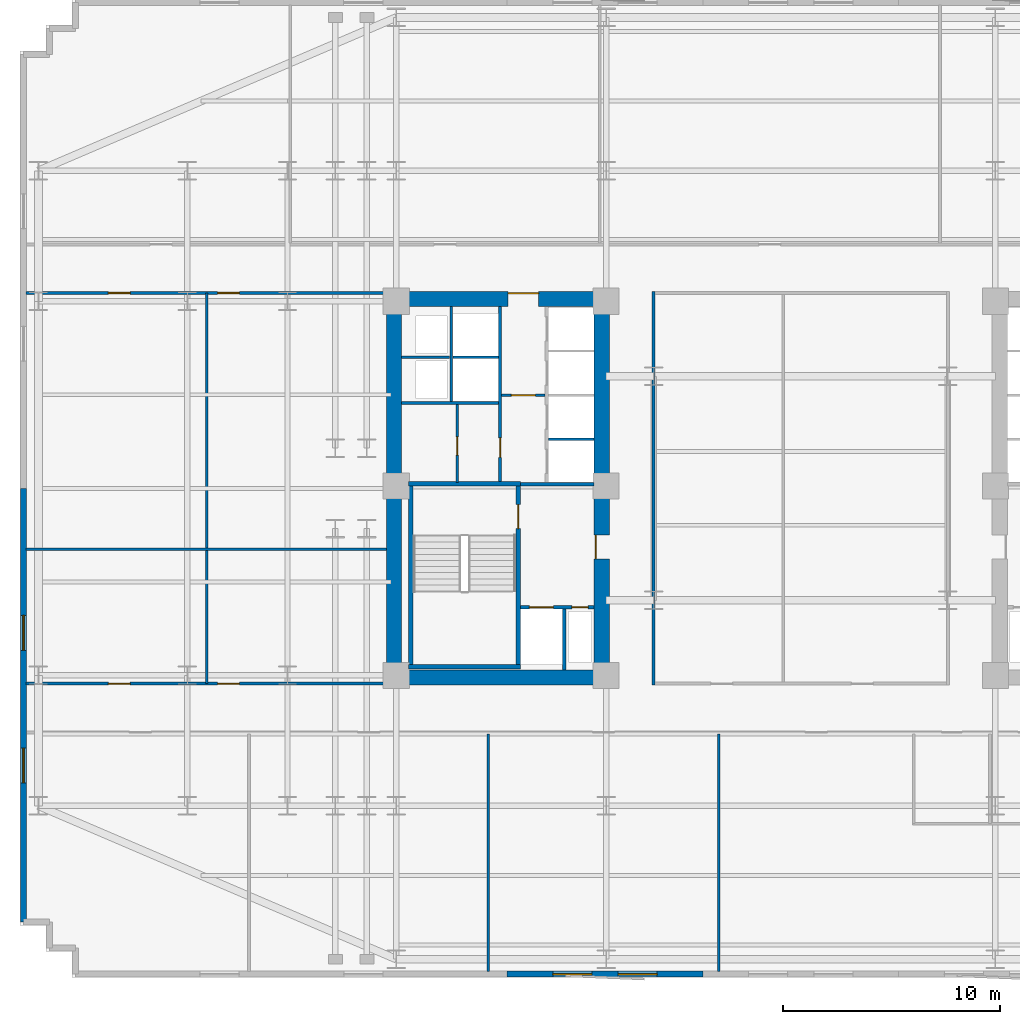
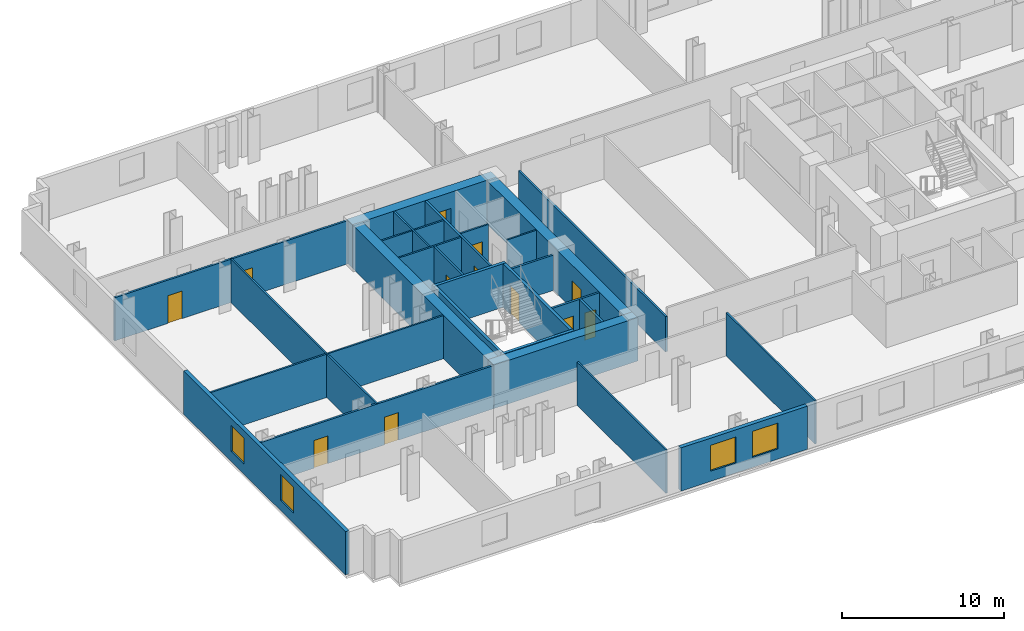
# One storey, part 4 of 10: 28 walls, 12 doors, 4 windows, 16 openings.
"""IFC4 building model written with IfcOpenShell, lengths in metres."""

from ifc_helpers import new_model, si_unit, direction, frame, frame_2d, origin, place, context, subcontext, project, spatial, rectangle, extrude, material, layer, layer_set, type_object, element, fill, save


model = new_model("IFC4")

# Units and contexts
model_context = context("Model", 3, precision=1e-05, world=origin(), true_north=direction((0.0, 1.0)))
body_context = subcontext(model_context, "Body", "Model", "MODEL_VIEW")
ifc_project = project(units=[si_unit("LENGTHUNIT", "METRE"), si_unit("AREAUNIT", "SQUARE_METRE"), si_unit("VOLUMEUNIT", "CUBIC_METRE"), si_unit("PLANEANGLEUNIT", "RADIAN"), si_unit("MASSUNIT", "GRAM", prefix="KILO")], contexts=[model_context])

# Site, building, storey
site_placement = place(None, origin())
site = spatial("IfcSite", under=ifc_project, at=site_placement, CompositionType="ELEMENT")
building_placement = place(site_placement, origin())
building = spatial("IfcBuilding", under=site, at=building_placement, Name="Velakula Bourse", CompositionType="ELEMENT")
storey_placement = place(building_placement, frame((0.0, 0.0, 48.449951171875)))
storey = spatial("IfcBuildingStorey", under=building, at=storey_placement, Name="L12", CompositionType="ELEMENT", Elevation=48.449951171875)

# Wall, opening, door
ifc_material_1 = material(Name="Concrete M50 (fck 50 MPa)", Category="concrete")
ifc_layer_1 = layer(ifc_material_1, 0.2099609375, Name="Concrete M50 (fck 50 MPa)", Category="concrete")
ifc_layer_set_1 = layer_set([ifc_layer_1], Name="Concrete M50 (fck 50 MPa)")
wall_type_1 = type_object("IfcWallType", Name="WL-CORE-210", PredefinedType="SHEAR", material=ifc_layer_set_1)
wall_1_placement = place(storey_placement, frame((-12.9951171875, -8.10009765625, 0.0), z_axis=(0.0, 0.0, 1.0), x_axis=(0.0, 1.0, 0.0)))
wall_1 = element("IfcWall", 1, at=wall_1_placement, inside=storey, type_object=wall_type_1, Name="L12 Core W Stairwell Shear Wall IN", PredefinedType="SHEAR", context=body_context, shape_type="SweptSolid", body=[
    extrude(rectangle(XDim=8.2001953125, YDim=0.2099609375, at=frame_2d((4.10009765625, 0.0))), origin(), (0.0, 0.0, 1.0), 3.27001953125),
])
opening_1_placement = place(wall_1_placement, frame((6.25, 0.0, 0.0)))
opening_1 = element("IfcOpeningElement", 2, at=opening_1_placement, cuts=wall_1, Name="Opening D-STW1", PredefinedType="OPENING", context=body_context, shape_type="SweptSolid", body=[
    extrude(rectangle(XDim=1.10009765625, YDim=2.14990234375, at=frame_2d((0.550048828125, 1.074951171875))), frame((0.0, 0.114990234375, 0.0), z_axis=(0.0, -1.0, 0.0), x_axis=(1.0, 0.0, 0.0)), (0.0, 0.0, 1.0), 0.22998046875),
])
ifc_material_2 = material(Name="Galvanised painted hollow steel fire door", Category="steel")
door_type_1 = type_object("IfcDoorType", Name="DR-FD120-1100x2150", OperationType="NOTDEFINED", PredefinedType="DOOR", material=ifc_material_2)
door_1_placement = place(opening_1_placement, origin())
door_1 = element("IfcDoor", 3, at=door_1_placement, inside=storey, type_object=door_type_1, Name="L12 Stair ST-W1 Fire Door", OperationType="SINGLE_SWING_LEFT", OverallHeight=2.14990234375, OverallWidth=1.10009765625, PredefinedType="DOOR", context=body_context, shape_type="SweptSolid", body=[
    extrude(rectangle(XDim=1.10009765625, YDim=2.14990234375, at=frame_2d((0.550048828125, 1.074951171875))), frame((0.0, 0.02490234375, 0.0), z_axis=(0.0, -1.0, 0.0), x_axis=(1.0, 0.0, 0.0)), (0.0, 0.0, 1.0), 0.050048828125),
])
fill(opening_1, door_1)

# Walls
wall_2_placement = place(storey_placement, frame((-17.925048828125, -8.10009765625, 0.0), z_axis=(0.0, 0.0, 1.0), x_axis=(0.0, 1.0, 0.0)))
element("IfcWall", 4, at=wall_2_placement, inside=storey, type_object=wall_type_1, Name="L12 Core W Stairwell Shear Wall OUT", PredefinedType="SHEAR", context=body_context, shape_type="SweptSolid", body=[
    extrude(rectangle(XDim=8.2001953125, YDim=0.2099609375, at=frame_2d((4.10009765625, 0.0))), origin(), (0.0, 0.0, 1.0), 3.27001953125),
])
for number, where, z_axis, x_axis, name in (
    (5, (-18.030029296875, -8.205078125, 0.0), (0.0, 0.0, 1.0), (1.0, 0.0, 0.0), "L12 Core W Stairwell Shear Wall S"),
    (6, (-12.889892578125, 0.205078125, 0.0), (0.0, 0.0, 1.0), (-1.0, 0.0, 0.0), "L12 Core W Stairwell Shear Wall N"),
):
    element("IfcWall", number, at=place(storey_placement, frame(where, z_axis=z_axis, x_axis=x_axis)), inside=storey, type_object=wall_type_1, Name=name, PredefinedType="SHEAR", context=body_context, shape_type="SweptSolid", body=[
        extrude(rectangle(XDim=5.14013671875, YDim=0.2099609375, at=frame_2d((2.570068359375, 0.0))), origin(), (0.0, 0.0, 1.0), 3.27001953125),
    ])
ifc_material_3 = material(Name="Concrete M70 (fck 70 MPa)", Category="concrete")
ifc_layer_2 = layer(ifc_material_3, 0.699951171875, Name="Concrete M70 (fck 70 MPa)", Category="concrete")
ifc_layer_set_2 = layer_set([ifc_layer_2], Name="Concrete M70 (fck 70 MPa)")
wall_type_2 = type_object("IfcWallType", Name="WL-CORE-700", PredefinedType="SHEAR", material=ifc_layer_set_2)
wall_3_placement = place(storey_placement, frame((-19.050048828125, -8.699951171875, 0.0), z_axis=(0.0, 0.0, 1.0), x_axis=(1.0, 0.0, 0.0)))
element("IfcWall", 7, at=wall_3_placement, inside=storey, type_object=wall_type_2, Name="L12 Core W Shear Wall S", PredefinedType="SHEAR", context=body_context, shape_type="SweptSolid", body=[
    extrude(rectangle(XDim=10.25, YDim=0.699951171875, at=frame_2d((5.125, 0.0))), origin(), (0.0, 0.0, 1.0), 3.27001953125),
])

# Wall, opening, door
wall_4_placement = place(storey_placement, frame((-19.050048828125, 8.699951171875, 0.0), z_axis=(0.0, 0.0, 1.0), x_axis=(1.0, 0.0, 0.0)))
wall_4 = element("IfcWall", 8, at=wall_4_placement, inside=storey, type_object=wall_type_2, Name="L12 Core W Shear Wall N", PredefinedType="SHEAR", context=body_context, shape_type="SweptSolid", body=[
    extrude(rectangle(XDim=10.25, YDim=0.699951171875, at=frame_2d((5.125, 0.0))), origin(), (0.0, 0.0, 1.0), 3.27001953125),
])
opening_2_placement = place(wall_4_placement, frame((5.60009765625, 0.0, 0.0)))
opening_2 = element("IfcOpeningElement", 9, at=opening_2_placement, cuts=wall_4, Name="Opening D-LLW", PredefinedType="OPENING", context=body_context, shape_type="SweptSolid", body=[
    extrude(rectangle(XDim=1.39990234375, YDim=2.050048828125, at=frame_2d((0.699951171875, 1.02490234375))), frame((0.0, 0.35986328125, 0.0), z_axis=(0.0, -1.0, 0.0), x_axis=(1.0, 0.0, 0.0)), (0.0, 0.0, 1.0), 0.719970703125),
])
ifc_material_4 = material(Name="Fire-rated hardwood flush architectural door", Category="wood")
door_type_2 = type_object("IfcDoorType", Name="DR-DBL-FD60-1400", OperationType="DOUBLE_DOOR_SINGLE_SWING", PredefinedType="DOOR", material=ifc_material_4)
door_2_placement = place(opening_2_placement, origin())
door_2 = element("IfcDoor", 10, at=door_2_placement, inside=storey, type_object=door_type_2, Name="L12 Core W Lift Lobby Corridor Double Door", OperationType="DOUBLE_DOOR_SINGLE_SWING", OverallHeight=2.050048828125, OverallWidth=1.39990234375, PredefinedType="DOOR", context=body_context, shape_type="SweptSolid", body=[
    extrude(rectangle(XDim=1.39990234375, YDim=2.050048828125, at=frame_2d((0.699951171875, 1.02490234375))), frame((0.0, 0.294921875, 0.0), z_axis=(0.0, -1.0, 0.0), x_axis=(1.0, 0.0, 0.0)), (0.0, 0.0, 1.0), 0.050048828125),
])
fill(opening_2, door_2)

# Wall
wall_5_placement = place(storey_placement, frame((-18.699951171875, -8.35009765625, 0.0), z_axis=(0.0, 0.0, 1.0), x_axis=(0.0, 1.0, 0.0)))
element("IfcWall", 11, at=wall_5_placement, inside=storey, type_object=wall_type_2, Name="L12 Core W Shear Wall W", PredefinedType="SHEAR", context=body_context, shape_type="SweptSolid", body=[
    extrude(rectangle(XDim=16.7001953125, YDim=0.699951171875, at=frame_2d((8.35009765625, 0.0))), origin(), (0.0, 0.0, 1.0), 3.27001953125),
])

# Wall, opening, door
wall_6_placement = place(storey_placement, frame((-9.14990234375, -8.35009765625, 0.0), z_axis=(0.0, 0.0, 1.0), x_axis=(0.0, 1.0, 0.0)))
wall_6 = element("IfcWall", 12, at=wall_6_placement, inside=storey, type_object=wall_type_2, Name="L12 Core W Shear Wall E", PredefinedType="SHEAR", context=body_context, shape_type="SweptSolid", body=[
    extrude(rectangle(XDim=16.7001953125, YDim=0.699951171875, at=frame_2d((8.35009765625, 0.0))), origin(), (0.0, 0.0, 1.0), 3.27001953125),
])
opening_3_placement = place(wall_6_placement, frame((5.10009765625, 0.0, 0.0)))
opening_3 = element("IfcOpeningElement", 13, at=opening_3_placement, cuts=wall_6, Name="Opening D-FLW", PredefinedType="OPENING", context=body_context, shape_type="SweptSolid", body=[
    extrude(rectangle(XDim=1.10009765625, YDim=2.080078125, at=frame_2d((0.550048828125, 1.0400390625))), frame((0.0, 0.35986328125, 0.0), z_axis=(0.0, -1.0, 0.0), x_axis=(1.0, 0.0, 0.0)), (0.0, 0.0, 1.0), 0.719970703125),
])
door_type_3 = type_object("IfcDoorType", Name="DR-FD120-1100", OperationType="NOTDEFINED", PredefinedType="DOOR", material=ifc_material_2)
door_3_placement = place(opening_3_placement, origin())
door_3 = element("IfcDoor", 14, at=door_3_placement, inside=storey, type_object=door_type_3, Name="L12 Firefighting Lobby W Corridor Fire Door", OperationType="SINGLE_SWING_LEFT", OverallHeight=2.080078125, OverallWidth=1.10009765625, PredefinedType="DOOR", context=body_context, shape_type="SweptSolid", body=[
    extrude(rectangle(XDim=1.10009765625, YDim=2.080078125, at=frame_2d((0.550048828125, 1.0400390625))), frame((0.0, 0.30517578125, 0.0), z_axis=(0.0, -1.0, 0.0), x_axis=(1.0, 0.0, 0.0)), (0.0, 0.0, 1.0), 0.050048828125),
])
fill(opening_3, door_3)

# Wall, openings, windows
ifc_material_5 = material(Name="Red kilned clay facing brick masonry", Category="masonry")
ifc_layer_3 = layer(ifc_material_5, 0.280029296875, Name="Red kilned clay facing brick masonry", Category="masonry")
ifc_layer_set_3 = layer_set([ifc_layer_3], Name="Red kilned clay facing brick masonry")
wall_type_3 = type_object("IfcWallType", Name="WL-EXT-BRK-280", PredefinedType="STANDARD", material=ifc_layer_set_3)
wall_7_placement = place(storey_placement, frame((-4.5, -22.340087890625, 0.0), z_axis=(0.0, 0.0, 1.0), x_axis=(-1.0, 0.0, 0.0)))
wall_7 = element("IfcWall", 15, at=wall_7_placement, inside=storey, type_object=wall_type_3, Name="L12 S Brick Spandrel Wall B2", PredefinedType="STANDARD", context=body_context, shape_type="SweptSolid", body=[
    extrude(rectangle(XDim=9.0, YDim=0.280029296875, at=frame_2d((4.5, 0.0))), origin(), (0.0, 0.0, 1.0), 3.25),
])
opening_4_placement = place(wall_7_placement, frame((2.10009765625, 0.0, 0.760009765625)))
opening_4 = element("IfcOpeningElement", 16, at=opening_4_placement, cuts=wall_7, Name="Opening W-01", PredefinedType="OPENING", context=body_context, shape_type="SweptSolid", body=[
    extrude(rectangle(XDim=1.800048828125, YDim=1.949951171875, at=frame_2d((0.89990234375, 0.97509765625))), frame((0.0, 0.14990234375, 0.0), z_axis=(0.0, -1.0, 0.0), x_axis=(1.0, 0.0, 0.0)), (0.0, 0.0, 1.0), 0.300048828125),
])
opening_5_placement = place(wall_7_placement, frame((5.10009765625, 0.0, 0.760009765625)))
opening_5 = element("IfcOpeningElement", 17, at=opening_5_placement, cuts=wall_7, Name="Opening W-01", PredefinedType="OPENING", context=body_context, shape_type="SweptSolid", body=[
    extrude(rectangle(XDim=1.800048828125, YDim=1.949951171875, at=frame_2d((0.89990234375, 0.97509765625))), frame((0.0, 0.14990234375, 0.0), z_axis=(0.0, -1.0, 0.0), x_axis=(1.0, 0.0, 0.0)), (0.0, 0.0, 1.0), 0.300048828125),
])
ifc_material_6 = material(Name="Double-glazed solar-control Low-E glass", Category="glass")
window_type_1 = type_object("IfcWindowType", Name="WIN-TWR-1800x2100", PartitioningType="SINGLE_PANEL", PredefinedType="WINDOW", material=ifc_material_6)
window_1_placement = place(opening_4_placement, origin())
window_1 = element("IfcWindow", 18, at=window_1_placement, inside=storey, type_object=window_type_1, Name="L12 Deep-Set Recessed Window 1", OverallHeight=1.949951171875, OverallWidth=1.800048828125, PartitioningType="SINGLE_PANEL", PredefinedType="WINDOW", context=body_context, shape_type="SweptSolid", body=[
    extrude(rectangle(XDim=1.800048828125, YDim=1.949951171875, at=frame_2d((0.89990234375, 0.97509765625))), frame((0.0, 0.030029296875, 0.0), z_axis=(0.0, -1.0, 0.0), x_axis=(1.0, 0.0, 0.0)), (0.0, 0.0, 1.0), 0.06005859375),
])
fill(opening_4, window_1)
window_2_placement = place(opening_5_placement, origin())
window_2 = element("IfcWindow", 19, at=window_2_placement, inside=storey, type_object=window_type_1, Name="L12 Deep-Set Recessed Window 2", OverallHeight=1.949951171875, OverallWidth=1.800048828125, PartitioningType="SINGLE_PANEL", PredefinedType="WINDOW", context=body_context, shape_type="SweptSolid", body=[
    extrude(rectangle(XDim=1.800048828125, YDim=1.949951171875, at=frame_2d((0.89990234375, 0.97509765625))), frame((0.0, 0.030029296875, 0.0), z_axis=(0.0, -1.0, 0.0), x_axis=(1.0, 0.0, 0.0)), (0.0, 0.0, 1.0), 0.06005859375),
])
fill(opening_5, window_2)

wall_8_placement = place(storey_placement, frame((-35.739990234375, -19.93994140625, 0.0), z_axis=(0.0, 0.0, 1.0), x_axis=(0.0, 1.0, 0.0)))
wall_8 = element("IfcWall", 20, at=wall_8_placement, inside=storey, type_object=wall_type_3, Name="L12 W Brick End Wall W1", PredefinedType="STANDARD", context=body_context, shape_type="SweptSolid", body=[
    extrude(rectangle(XDim=19.93994140625, YDim=0.280029296875, at=frame_2d((9.969970703125, 0.0))), origin(), (0.0, 0.0, 1.0), 3.25),
])
opening_6_placement = place(wall_8_placement, frame((6.396728515625, 0.0, 0.760009765625)))
opening_6 = element("IfcOpeningElement", 21, at=opening_6_placement, cuts=wall_8, Name="Opening W-02", PredefinedType="OPENING", context=body_context, shape_type="SweptSolid", body=[
    extrude(rectangle(XDim=1.60009765625, YDim=1.949951171875, at=frame_2d((0.800048828125, 0.97509765625))), frame((0.0, 0.14990234375, 0.0), z_axis=(0.0, -1.0, 0.0), x_axis=(1.0, 0.0, 0.0)), (0.0, 0.0, 1.0), 0.300048828125),
])
opening_7_placement = place(wall_8_placement, frame((12.493408203125, 0.0, 0.760009765625)))
opening_7 = element("IfcOpeningElement", 22, at=opening_7_placement, cuts=wall_8, Name="Opening W-02", PredefinedType="OPENING", context=body_context, shape_type="SweptSolid", body=[
    extrude(rectangle(XDim=1.60009765625, YDim=1.949951171875, at=frame_2d((0.800048828125, 0.97509765625))), frame((0.0, 0.14990234375, 0.0), z_axis=(0.0, -1.0, 0.0), x_axis=(1.0, 0.0, 0.0)), (0.0, 0.0, 1.0), 0.300048828125),
])
window_type_2 = type_object("IfcWindowType", Name="WIN-TWR-1600x2100", PartitioningType="SINGLE_PANEL", PredefinedType="WINDOW", material=ifc_material_6)
window_3_placement = place(opening_6_placement, origin())
window_3 = element("IfcWindow", 23, at=window_3_placement, inside=storey, type_object=window_type_2, Name="L12 Deep-Set Recessed Window 1", OverallHeight=1.949951171875, OverallWidth=1.60009765625, PartitioningType="SINGLE_PANEL", PredefinedType="WINDOW", context=body_context, shape_type="SweptSolid", body=[
    extrude(rectangle(XDim=1.60009765625, YDim=1.949951171875, at=frame_2d((0.800048828125, 0.97509765625))), frame((0.0, 0.030029296875, 0.0), z_axis=(0.0, -1.0, 0.0), x_axis=(1.0, 0.0, 0.0)), (0.0, 0.0, 1.0), 0.06005859375),
])
fill(opening_6, window_3)
window_4_placement = place(opening_7_placement, origin())
window_4 = element("IfcWindow", 24, at=window_4_placement, inside=storey, type_object=window_type_2, Name="L12 Deep-Set Recessed Window 2", OverallHeight=1.949951171875, OverallWidth=1.60009765625, PartitioningType="SINGLE_PANEL", PredefinedType="WINDOW", context=body_context, shape_type="SweptSolid", body=[
    extrude(rectangle(XDim=1.60009765625, YDim=1.949951171875, at=frame_2d((0.800048828125, 0.97509765625))), frame((0.0, 0.030029296875, 0.0), z_axis=(0.0, -1.0, 0.0), x_axis=(1.0, 0.0, 0.0)), (0.0, 0.0, 1.0), 0.06005859375),
])
fill(opening_7, window_4)

# Wall, opening, door
ifc_material_7 = material(Name="Fire-rated double-layer gypsum drywall partition", Category="gypsum")
ifc_layer_4 = layer(ifc_material_7, 0.1201171875, Name="Fire-rated double-layer gypsum drywall partition", Category="gypsum")
ifc_layer_set_4 = layer_set([ifc_layer_4], Name="Fire-rated double-layer gypsum drywall partition")
wall_type_4 = type_object("IfcWallType", Name="WL-PART-120", PredefinedType="STANDARD", material=ifc_layer_set_4)
wall_9_placement = place(storey_placement, frame((-13.75, 4.280029296875, 0.0), z_axis=(0.0, 0.0, 1.0), x_axis=(1.0, 0.0, 0.0)))
wall_9 = element("IfcWall", 25, at=wall_9_placement, inside=storey, type_object=wall_type_4, Name="L12 Interior Partition WL-CRW-L12-LL-K2", PredefinedType="STANDARD", context=body_context, shape_type="SweptSolid", body=[
    extrude(rectangle(XDim=2.0, YDim=0.1201171875, at=frame_2d((1.0, 0.0))), origin(), (0.0, 0.0, 1.0), 3.25),
])
opening_8_placement = place(wall_9_placement, frame((0.449951171875, 0.0, 0.0)))
opening_8 = element("IfcOpeningElement", 26, at=opening_8_placement, cuts=wall_9, Name="Opening D-LK2", PredefinedType="OPENING", context=body_context, shape_type="SweptSolid", body=[
    extrude(rectangle(XDim=1.10009765625, YDim=2.10009765625, at=frame_2d((0.550048828125, 1.050048828125))), frame((0.0, 0.070068359375, 0.0), z_axis=(0.0, -1.0, 0.0), x_axis=(1.0, 0.0, 0.0)), (0.0, 0.0, 1.0), 0.14013671875),
])
door_type_4 = type_object("IfcDoorType", Name="DR-FD60-1100x2100", OperationType="NOTDEFINED", PredefinedType="DOOR", material=ifc_material_4)
door_4_placement = place(opening_8_placement, origin())
door_4 = element("IfcDoor", 27, at=door_4_placement, inside=storey, type_object=door_type_4, Name="L12 Core W Lift Lobby Zone Door", OperationType="SINGLE_SWING_RIGHT", OverallHeight=2.10009765625, OverallWidth=1.10009765625, PredefinedType="DOOR", context=body_context, shape_type="SweptSolid", body=[
    extrude(rectangle(XDim=1.10009765625, YDim=2.10009765625, at=frame_2d((0.550048828125, 1.050048828125))), frame((0.0, 0.02490234375, 0.0), z_axis=(0.0, -1.0, 0.0), x_axis=(1.0, 0.0, 0.0)), (0.0, 0.0, 1.0), 0.050048828125),
])
fill(opening_8, door_4)

# Walls
wall_10_placement = place(storey_placement, frame((-11.60009765625, 2.2548828125, 0.0), z_axis=(0.0, 0.0, 1.0), x_axis=(1.0, 0.0, 0.0)))
element("IfcWall", 28, at=wall_10_placement, inside=storey, type_object=wall_type_4, Name="L12 Interior Partition WL-CRW-L12-BDIV-0", PredefinedType="STANDARD", context=body_context, shape_type="SweptSolid", body=[
    extrude(rectangle(XDim=2.10009765625, YDim=0.110107421875, at=frame_2d((1.050048828125, 0.0))), origin(), (0.0, 0.0, 1.0), 3.25),
])
wall_11_placement = place(storey_placement, frame((-18.35009765625, 3.919921875, 0.0), z_axis=(0.0, 0.0, 1.0), x_axis=(1.0, 0.0, 0.0)))
element("IfcWall", 29, at=wall_11_placement, inside=storey, type_object=wall_type_4, Name="L12 Interior Partition WL-CRW-L12-HI-S", PredefinedType="STANDARD", context=body_context, shape_type="SweptSolid", body=[
    extrude(rectangle(XDim=4.4501953125, YDim=0.1201171875, at=frame_2d((2.22509765625, 0.0))), origin(), (0.0, 0.0, 1.0), 3.25),
])
wall_12_placement = place(storey_placement, frame((-18.35009765625, 6.030029296875, 0.0), z_axis=(0.0, 0.0, 1.0), x_axis=(1.0, 0.0, 0.0)))
element("IfcWall", 30, at=wall_12_placement, inside=storey, type_object=wall_type_4, Name="L12 Interior Partition WL-CRW-L12-RIS-MID", PredefinedType="STANDARD", context=body_context, shape_type="SweptSolid", body=[
    extrude(rectangle(XDim=2.2001953125, YDim=0.1201171875, at=frame_2d((1.10009765625, 0.0))), origin(), (0.0, 0.0, 1.0), 3.25),
])
wall_13_placement = place(storey_placement, frame((-16.074951171875, 3.97998046875, 0.0), z_axis=(0.0, 0.0, 1.0), x_axis=(0.0, 1.0, 0.0)))
element("IfcWall", 31, at=wall_13_placement, inside=storey, type_object=wall_type_4, Name="L12 Interior Partition WL-CRW-L12-RIS-F", PredefinedType="STANDARD", context=body_context, shape_type="SweptSolid", body=[
    extrude(rectangle(XDim=4.3701171875, YDim=0.1201171875, at=frame_2d((2.18505859375, 0.0))), origin(), (0.0, 0.0, 1.0), 3.25),
])
wall_14_placement = place(storey_placement, frame((-16.0, 6.030029296875, 0.0), z_axis=(0.0, 0.0, 1.0), x_axis=(1.0, 0.0, 0.0)))
element("IfcWall", 32, at=wall_14_placement, inside=storey, type_object=wall_type_4, Name="L12 Interior Partition WL-CRW-L12-HI-DIV", PredefinedType="STANDARD", context=body_context, shape_type="SweptSolid", body=[
    extrude(rectangle(XDim=2.10009765625, YDim=0.1201171875, at=frame_2d((1.050048828125, 0.0))), origin(), (0.0, 0.0, 1.0), 3.25),
])

# Wall, opening, door
wall_15_placement = place(storey_placement, frame((-15.800048828125, 0.27001953125, 0.0), z_axis=(0.0, 0.0, 1.0), x_axis=(0.0, 1.0, 0.0)))
wall_15 = element("IfcWall", 33, at=wall_15_placement, inside=storey, type_object=wall_type_4, Name="L12 Interior Partition WL-CRW-L12-K2", PredefinedType="STANDARD", context=body_context, shape_type="SweptSolid", body=[
    extrude(rectangle(XDim=3.590087890625, YDim=0.1201171875, at=frame_2d((1.794921875, 0.0))), origin(), (0.0, 0.0, 1.0), 3.25),
])
opening_9_placement = place(wall_15_placement, frame((1.25, 0.0, 0.0)))
opening_9 = element("IfcOpeningElement", 34, at=opening_9_placement, cuts=wall_15, Name="Opening D-CE1", PredefinedType="OPENING", context=body_context, shape_type="SweptSolid", body=[
    extrude(rectangle(XDim=0.85009765625, YDim=2.050048828125, at=frame_2d((0.425048828125, 1.02490234375))), frame((0.0, 0.070068359375, 0.0), z_axis=(0.0, -1.0, 0.0), x_axis=(1.0, 0.0, 0.0)), (0.0, 0.0, 1.0), 0.14013671875),
])
door_type_5 = type_object("IfcDoorType", Name="DR-INT-850", OperationType="NOTDEFINED", PredefinedType="DOOR", material=ifc_material_4)
door_5_placement = place(opening_9_placement, origin())
door_5 = element("IfcDoor", 35, at=door_5_placement, inside=storey, type_object=door_type_5, Name="L12 Core Equipment Store Door", OperationType="SINGLE_SWING_RIGHT", OverallHeight=2.050048828125, OverallWidth=0.85009765625, PredefinedType="DOOR", context=body_context, shape_type="SweptSolid", body=[
    extrude(rectangle(XDim=0.85009765625, YDim=2.050048828125, at=frame_2d((0.425048828125, 1.02490234375))), frame((0.0, 0.02490234375, 0.0), z_axis=(0.0, -1.0, 0.0), x_axis=(1.0, 0.0, 0.0)), (0.0, 0.0, 1.0), 0.050048828125),
])
fill(opening_9, door_5)

# Walls
for number, where, z_axis, x_axis, name in (
    (36, (-14.364990234375, -22.219970703125, 0.0), (0.0, 0.0, 1.0), (0.0, 1.0, 0.0), "L12 Interior Partition WL-INT-L12-SL-D6"),
    (37, (-3.76708984375, -22.219970703125, 0.0), (0.0, 0.0, 1.0), (0.0, 1.0, 0.0), "L12 Interior Partition WL-INT-L12-SL-D7"),
):
    element("IfcWall", number, at=place(storey_placement, frame(where, z_axis=z_axis, x_axis=x_axis)), inside=storey, type_object=wall_type_4, Name=name, PredefinedType="STANDARD", context=body_context, shape_type="SweptSolid", body=[
        extrude(rectangle(XDim=10.929931640625, YDim=0.1201171875, at=frame_2d((5.46484375, 0.0))), origin(), (0.0, 0.0, 1.0), 3.25),
    ])
wall_16_placement = place(storey_placement, frame((-35.6201171875, -2.800048828125, 0.0), z_axis=(0.0, 0.0, 1.0), x_axis=(1.0, 0.0, 0.0)))
element("IfcWall", 38, at=wall_16_placement, inside=storey, type_object=wall_type_4, Name="L12 Interior Partition WL-INT-L12-W-H", PredefinedType="STANDARD", context=body_context, shape_type="SweptSolid", body=[
    extrude(rectangle(XDim=16.570068359375, YDim=0.1201171875, at=frame_2d((8.28515625, 0.0))), origin(), (0.0, 0.0, 1.0), 3.25),
])
wall_17_placement = place(storey_placement, frame((-27.304931640625, -8.97998046875, 0.0), z_axis=(0.0, 0.0, 1.0), x_axis=(0.0, 1.0, 0.0)))
element("IfcWall", 39, at=wall_17_placement, inside=storey, type_object=wall_type_4, Name="L12 Interior Partition WL-INT-L12-W-V1", PredefinedType="STANDARD", context=body_context, shape_type="SweptSolid", body=[
    extrude(rectangle(XDim=17.9599609375, YDim=0.1201171875, at=frame_2d((8.97998046875, 0.0))), origin(), (0.0, 0.0, 1.0), 3.25),
])

# Wall, openings, doors
ifc_layer_5 = layer(ifc_material_7, 0.139892578125, Name="Fire-rated double-layer gypsum drywall partition", Category="gypsum")
ifc_layer_set_5 = layer_set([ifc_layer_5], Name="Fire-rated double-layer gypsum drywall partition")
wall_type_5 = type_object("IfcWallType", Name="WL-PART-140", PredefinedType="STANDARD", material=ifc_layer_set_5)
wall_18_placement = place(storey_placement, frame((-35.6201171875, 8.97998046875, 0.0), z_axis=(0.0, 0.0, 1.0), x_axis=(1.0, 0.0, 0.0)))
wall_18 = element("IfcWall", 40, at=wall_18_placement, inside=storey, type_object=wall_type_5, Name="L12 Interior Partition WL-INT-L12-W-NC", PredefinedType="STANDARD", context=body_context, shape_type="SweptSolid", body=[
    extrude(rectangle(XDim=16.570068359375, YDim=0.139892578125, at=frame_2d((8.28515625, 0.0))), origin(), (0.0, 0.0, 1.0), 3.25),
])
opening_10_placement = place(wall_18_placement, frame((3.78759765625, 0.0, 0.0)))
opening_10 = element("IfcOpeningElement", 41, at=opening_10_placement, cuts=wall_18, Name="Opening D-OF1", PredefinedType="OPENING", context=body_context, shape_type="SweptSolid", body=[
    extrude(rectangle(XDim=1.0, YDim=2.080078125, at=frame_2d((0.5, 1.0400390625))), frame((0.0, 0.079833984375, 0.0), z_axis=(0.0, -1.0, 0.0), x_axis=(1.0, 0.0, 0.0)), (0.0, 0.0, 1.0), 0.159912109375),
])
opening_11_placement = place(wall_18_placement, frame((8.8046875, 0.0, 0.0)))
opening_11 = element("IfcOpeningElement", 42, at=opening_11_placement, cuts=wall_18, Name="Opening D-OF1", PredefinedType="OPENING", context=body_context, shape_type="SweptSolid", body=[
    extrude(rectangle(XDim=1.0, YDim=2.080078125, at=frame_2d((0.5, 1.0400390625))), frame((0.0, 0.079833984375, 0.0), z_axis=(0.0, -1.0, 0.0), x_axis=(1.0, 0.0, 0.0)), (0.0, 0.0, 1.0), 0.159912109375),
])
door_type_6 = type_object("IfcDoorType", Name="DR-OFF-1000", OperationType="NOTDEFINED", PredefinedType="DOOR", material=ifc_material_4)
door_6_placement = place(opening_10_placement, origin())
door_6 = element("IfcDoor", 43, at=door_6_placement, inside=storey, type_object=door_type_6, Name="L12 Issuer Relations Office Door", OperationType="SINGLE_SWING_LEFT", OverallHeight=2.080078125, OverallWidth=1.0, PredefinedType="DOOR", context=body_context, shape_type="SweptSolid", body=[
    extrude(rectangle(XDim=1.0, YDim=2.080078125, at=frame_2d((0.5, 1.0400390625))), frame((0.0, 0.02490234375, 0.0), z_axis=(0.0, -1.0, 0.0), x_axis=(1.0, 0.0, 0.0)), (0.0, 0.0, 1.0), 0.050048828125),
])
fill(opening_10, door_6)
door_7_placement = place(opening_11_placement, origin())
door_7 = element("IfcDoor", 44, at=door_7_placement, inside=storey, type_object=door_type_6, Name="L12 Training Classroom Door", OperationType="SINGLE_SWING_RIGHT", OverallHeight=2.080078125, OverallWidth=1.0, PredefinedType="DOOR", context=body_context, shape_type="SweptSolid", body=[
    extrude(rectangle(XDim=1.0, YDim=2.080078125, at=frame_2d((0.5, 1.0400390625))), frame((0.0, 0.02490234375, 0.0), z_axis=(0.0, -1.0, 0.0), x_axis=(1.0, 0.0, 0.0)), (0.0, 0.0, 1.0), 0.050048828125),
])
fill(opening_11, door_7)

wall_19_placement = place(storey_placement, frame((-35.6201171875, -8.97998046875, 0.0), z_axis=(0.0, 0.0, 1.0), x_axis=(1.0, 0.0, 0.0)))
wall_19 = element("IfcWall", 45, at=wall_19_placement, inside=storey, type_object=wall_type_5, Name="L12 Interior Partition WL-INT-L12-W-SC", PredefinedType="STANDARD", context=body_context, shape_type="SweptSolid", body=[
    extrude(rectangle(XDim=16.570068359375, YDim=0.139892578125, at=frame_2d((8.28515625, 0.0))), origin(), (0.0, 0.0, 1.0), 3.25),
])
opening_12_placement = place(wall_19_placement, frame((3.78759765625, 0.0, 0.0)))
opening_12 = element("IfcOpeningElement", 46, at=opening_12_placement, cuts=wall_19, Name="Opening D-OF1", PredefinedType="OPENING", context=body_context, shape_type="SweptSolid", body=[
    extrude(rectangle(XDim=1.0, YDim=2.080078125, at=frame_2d((0.5, 1.0400390625))), frame((0.0, 0.079833984375, 0.0), z_axis=(0.0, -1.0, 0.0), x_axis=(1.0, 0.0, 0.0)), (0.0, 0.0, 1.0), 0.159912109375),
])
opening_13_placement = place(wall_19_placement, frame((8.8046875, 0.0, 0.0)))
opening_13 = element("IfcOpeningElement", 47, at=opening_13_placement, cuts=wall_19, Name="Opening D-OF1", PredefinedType="OPENING", context=body_context, shape_type="SweptSolid", body=[
    extrude(rectangle(XDim=1.0, YDim=2.080078125, at=frame_2d((0.5, 1.0400390625))), frame((0.0, 0.079833984375, 0.0), z_axis=(0.0, -1.0, 0.0), x_axis=(1.0, 0.0, 0.0)), (0.0, 0.0, 1.0), 0.159912109375),
])
door_8_placement = place(opening_12_placement, origin())
door_8 = element("IfcDoor", 48, at=door_8_placement, inside=storey, type_object=door_type_6, Name="L12 Issuer Relations Office Door", OperationType="SINGLE_SWING_LEFT", OverallHeight=2.080078125, OverallWidth=1.0, PredefinedType="DOOR", context=body_context, shape_type="SweptSolid", body=[
    extrude(rectangle(XDim=1.0, YDim=2.080078125, at=frame_2d((0.5, 1.0400390625))), frame((0.0, 0.02490234375, 0.0), z_axis=(0.0, -1.0, 0.0), x_axis=(1.0, 0.0, 0.0)), (0.0, 0.0, 1.0), 0.050048828125),
])
fill(opening_12, door_8)
door_9_placement = place(opening_13_placement, origin())
door_9 = element("IfcDoor", 49, at=door_9_placement, inside=storey, type_object=door_type_6, Name="L12 Training Classroom Door", OperationType="SINGLE_SWING_RIGHT", OverallHeight=2.080078125, OverallWidth=1.0, PredefinedType="DOOR", context=body_context, shape_type="SweptSolid", body=[
    extrude(rectangle(XDim=1.0, YDim=2.080078125, at=frame_2d((0.5, 1.0400390625))), frame((0.0, 0.02490234375, 0.0), z_axis=(0.0, -1.0, 0.0), x_axis=(1.0, 0.0, 0.0)), (0.0, 0.0, 1.0), 0.050048828125),
])
fill(opening_13, door_9)

# Wall
wall_20_placement = place(storey_placement, frame((-6.780029296875, -9.050048828125, 0.0), z_axis=(0.0, 0.0, 1.0), x_axis=(0.0, 1.0, 0.0)))
element("IfcWall", 50, at=wall_20_placement, inside=storey, type_object=wall_type_5, Name="L12 Interior Partition WL-INT-L12-MID-W", PredefinedType="STANDARD", context=body_context, shape_type="SweptSolid", body=[
    extrude(rectangle(XDim=18.10009765625, YDim=0.139892578125, at=frame_2d((9.050048828125, 0.0))), origin(), (0.0, 0.0, 1.0), 2.64501953125),
])

# Wall, openings, doors
ifc_material_8 = material(Name="Autoclaved aerated concrete blockwork masonry", Category="masonry")
ifc_layer_6 = layer(ifc_material_8, 0.14990234375, Name="Autoclaved aerated concrete blockwork masonry", Category="masonry")
ifc_layer_set_6 = layer_set([ifc_layer_6], Name="Autoclaved aerated concrete blockwork masonry")
wall_type_6 = type_object("IfcWallType", Name="WL-SHAFT-150", PredefinedType="STANDARD", material=ifc_layer_set_6)
wall_21_placement = place(storey_placement, frame((-12.89501953125, -5.47509765625, 0.0), z_axis=(0.0, 0.0, 1.0), x_axis=(1.0, 0.0, 0.0)))
wall_21 = element("IfcWall", 51, at=wall_21_placement, inside=storey, type_object=wall_type_6, Name="L12 Interior Partition WL-CRW-L12-FFL-N", PredefinedType="STANDARD", context=body_context, shape_type="SweptSolid", body=[
    extrude(rectangle(XDim=3.39501953125, YDim=0.14990234375, at=frame_2d((1.697509765625, 0.0))), origin(), (0.0, 0.0, 1.0), 3.25),
])
opening_14_placement = place(wall_21_placement, frame((0.419921875, 0.0, 0.0)))
opening_14 = element("IfcOpeningElement", 52, at=opening_14_placement, cuts=wall_21, Name="Opening LD-FFL-1", PredefinedType="OPENING", context=body_context, shape_type="SweptSolid", body=[
    extrude(rectangle(XDim=1.10009765625, YDim=2.14990234375, at=frame_2d((0.550048828125, 1.074951171875))), frame((0.0, 0.0849609375, 0.0), z_axis=(0.0, -1.0, 0.0), x_axis=(1.0, 0.0, 0.0)), (0.0, 0.0, 1.0), 0.169921875),
])
opening_15_placement = place(wall_21_placement, frame((2.3701171875, 0.0, 0.0)))
opening_15 = element("IfcOpeningElement", 53, at=opening_15_placement, cuts=wall_21, Name="Opening D-RS1", PredefinedType="OPENING", context=body_context, shape_type="SweptSolid", body=[
    extrude(rectangle(XDim=0.75, YDim=2.050048828125, at=frame_2d((0.375, 1.02490234375))), frame((0.0, 0.0849609375, 0.0), z_axis=(0.0, -1.0, 0.0), x_axis=(1.0, 0.0, 0.0)), (0.0, 0.0, 1.0), 0.169921875),
])
door_type_7 = type_object("IfcDoorType", Name="DR-RISER-800", OperationType="NOTDEFINED", PredefinedType="DOOR", material=ifc_material_2)
door_10_placement = place(opening_15_placement, origin())
door_10 = element("IfcDoor", 54, at=door_10_placement, inside=storey, type_object=door_type_7, Name="L12 Fire Riser Access Door", OperationType="SINGLE_SWING_RIGHT", OverallHeight=2.050048828125, OverallWidth=0.75, PredefinedType="DOOR", context=body_context, shape_type="SweptSolid", body=[
    extrude(rectangle(XDim=0.75, YDim=2.050048828125, at=frame_2d((0.375, 1.02490234375))), frame((0.0, 0.02490234375, 0.0), z_axis=(0.0, -1.0, 0.0), x_axis=(1.0, 0.0, 0.0)), (0.0, 0.0, 1.0), 0.050048828125),
])
fill(opening_15, door_10)
ifc_material_9 = material(Name="Brushed grade 316 stainless steel", Category="steel")
door_type_8 = type_object("IfcDoorType", Name="DR-SLIDE-FFL-1100", OperationType="DOUBLE_DOOR_SLIDING", PredefinedType="DOOR", material=ifc_material_9)
door_11_placement = place(opening_14_placement, origin())
door_11 = element("IfcDoor", 55, at=door_11_placement, inside=storey, type_object=door_type_8, Name="L12 Firefighting Lift FFL-1 Sliding Landing Door", OperationType="DOUBLE_DOOR_SLIDING", OverallHeight=2.14990234375, OverallWidth=1.10009765625, PredefinedType="DOOR", context=body_context, shape_type="SweptSolid", body=[
    extrude(rectangle(XDim=1.10009765625, YDim=2.14990234375, at=frame_2d((0.550048828125, 1.074951171875))), frame((0.0, 0.02490234375, 0.0), z_axis=(0.0, -1.0, 0.0), x_axis=(1.0, 0.0, 0.0)), (0.0, 0.0, 1.0), 0.050048828125),
])
fill(opening_14, door_11)

# Walls
wall_22_placement = place(storey_placement, frame((-10.875, -8.35009765625, 0.0), z_axis=(0.0, 0.0, 1.0), x_axis=(0.0, 1.0, 0.0)))
element("IfcWall", 56, at=wall_22_placement, inside=storey, type_object=wall_type_6, Name="L12 Interior Partition WL-CRW-L12-FR-DIV", PredefinedType="STANDARD", context=body_context, shape_type="SweptSolid", body=[
    extrude(rectangle(XDim=2.800048828125, YDim=0.14990234375, at=frame_2d((1.39990234375, 0.0))), origin(), (0.0, 0.0, 1.0), 3.25),
])
wall_23_placement = place(storey_placement, frame((-12.889892578125, 0.18994140625, 0.0), z_axis=(0.0, 0.0, 1.0), x_axis=(1.0, 0.0, 0.0)))
element("IfcWall", 57, at=wall_23_placement, inside=storey, type_object=wall_type_6, Name="L12 Interior Partition WL-CRW-L12-FF-TOP", PredefinedType="STANDARD", context=body_context, shape_type="SweptSolid", body=[
    extrude(rectangle(XDim=3.389892578125, YDim=0.14990234375, at=frame_2d((1.69482421875, 0.0))), origin(), (0.0, 0.0, 1.0), 2.64501953125),
])

# Wall, opening, door
wall_24_placement = place(storey_placement, frame((-13.824951171875, 0.27001953125, 0.0), z_axis=(0.0, 0.0, 1.0), x_axis=(0.0, 1.0, 0.0)))
wall_24 = element("IfcWall", 58, at=wall_24_placement, inside=storey, type_object=wall_type_6, Name="L12 Interior Partition WL-CRW-L12-OUT-F", PredefinedType="STANDARD", context=body_context, shape_type="SweptSolid", body=[
    extrude(rectangle(XDim=8.080078125, YDim=0.14990234375, at=frame_2d((4.0400390625, 0.0))), origin(), (0.0, 0.0, 1.0), 3.25),
])
opening_16_placement = place(wall_24_placement, frame((1.14990234375, 0.0, 0.0)))
opening_16 = element("IfcOpeningElement", 59, at=opening_16_placement, cuts=wall_24, Name="Opening D-CP1", PredefinedType="OPENING", context=body_context, shape_type="SweptSolid", body=[
    extrude(rectangle(XDim=0.89990234375, YDim=2.050048828125, at=frame_2d((0.449951171875, 1.02490234375))), frame((0.0, 0.0849609375, 0.0), z_axis=(0.0, -1.0, 0.0), x_axis=(1.0, 0.0, 0.0)), (0.0, 0.0, 1.0), 0.169921875),
])
door_type_9 = type_object("IfcDoorType", Name="DR-INT-900", OperationType="NOTDEFINED", PredefinedType="DOOR", material=ifc_material_4)
door_12_placement = place(opening_16_placement, origin())
door_12 = element("IfcDoor", 60, at=door_12_placement, inside=storey, type_object=door_type_9, Name="L12 Core Tea Pantry Door", OperationType="SINGLE_SWING_LEFT", OverallHeight=2.050048828125, OverallWidth=0.89990234375, PredefinedType="DOOR", context=body_context, shape_type="SweptSolid", body=[
    extrude(rectangle(XDim=0.89990234375, YDim=2.050048828125, at=frame_2d((0.449951171875, 1.02490234375))), frame((0.0, 0.02490234375, 0.0), z_axis=(0.0, -1.0, 0.0), x_axis=(1.0, 0.0, 0.0)), (0.0, 0.0, 1.0), 0.050048828125),
])
fill(opening_16, door_12)

save(model, "model.ifc")
